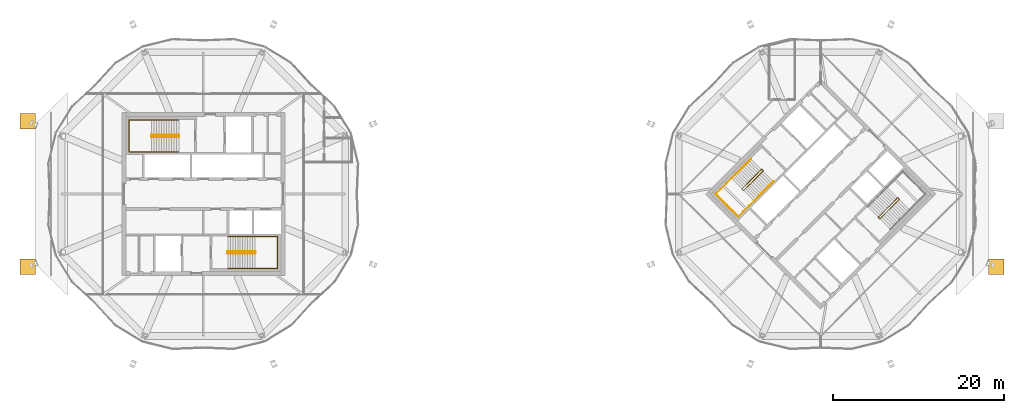
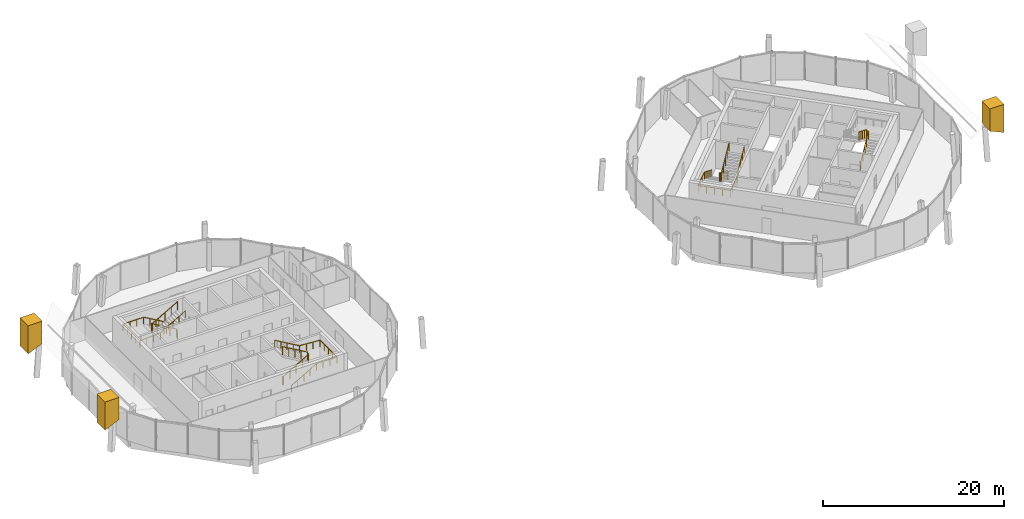
# One storey, part 21 of 22: 7 railings, 3 coverings.
"""IFC4 building model written with IfcOpenShell, lengths in metres."""

from ifc_helpers import new_model, si_unit, direction, frame, origin, origin_2d, place, context, subcontext, project, spatial, polyline, circle, outline, extrude, material, layer, layer_set, type_object, element, save


model = new_model("IFC4")

# Units and contexts
model_context = context("Model", 3, precision=1e-05, world=origin(), true_north=direction((0.0, 1.0)))
body_context = subcontext(model_context, "Body", "Model", "MODEL_VIEW")
ifc_project = project(units=[si_unit("LENGTHUNIT", "METRE"), si_unit("AREAUNIT", "SQUARE_METRE"), si_unit("VOLUMEUNIT", "CUBIC_METRE"), si_unit("PLANEANGLEUNIT", "RADIAN"), si_unit("MASSUNIT", "GRAM", prefix="KILO")], contexts=[model_context])

# Site, building, storey
site_placement = place(None, origin())
site = spatial("IfcSite", under=ifc_project, at=site_placement, CompositionType="ELEMENT")
building_placement = place(site_placement, origin())
building = spatial("IfcBuilding", under=site, at=building_placement, Name="Ogive Gate Towers", CompositionType="ELEMENT")
storey_placement = place(building_placement, frame((0.0, 0.0, 298.0)))
storey = spatial("IfcBuildingStorey", under=building, at=storey_placement, Name="L70", CompositionType="ELEMENT", Elevation=298.0)

# Coverings
ifc_material_1 = material(Name="Cast stone", Category="masonry")
ifc_layer = layer(ifc_material_1, 3.0)
ifc_layer_set = layer_set([ifc_layer], Name="Pinnacle tier 1800")
covering_type = type_object("IfcCoveringType", Name="Pinnacle tier 1800", PredefinedType="CLADDING", material=ifc_layer_set)
for number, where, z_axis, x_axis, name in (
    (1, (-56.484619140625, 7.5849609375, 4.3359375), (0.0, 1.0, 0.0), (-1.0, 0.0, 0.0), "Crown pinnacle"),
    (2, (-56.484619140625, -9.385009765625, 4.3359375), (0.0, 1.0, 0.0), (-1.0, 0.0, 0.0), "Crown pinnacle"),
    (3, (56.484619140625, -7.5849609375, 4.3359375), (0.0, -1.0, 0.0), (1.0, 0.0, 0.0), "Crown pinnacle"),
):
    element("IfcCovering", number, at=place(storey_placement, frame(where, z_axis=z_axis, x_axis=x_axis)), inside=storey, type_object=covering_type, Name=name, PredefinedType="CLADDING", context=body_context, shape_type="SweptSolid", body=[
        extrude(outline(polyline([(0.89990234375, -0.402587890625), (-0.89990234375, 0.402587890625), (-0.89990234375, 3.402587890625), (0.89990234375, 3.402587890625), (0.89990234375, -0.402587890625)])), origin(), (0.0, 0.0, 1.0), 1.800048828125),
    ])

# Railings
ifc_material_2 = material(Name="Stainless steel", Category="steel")
railing_type_1 = type_object("IfcRailingType", Name="Stair guard 1100", PredefinedType="GUARDRAIL", material=ifc_material_2)
railing_1_placement = place(storey_placement, frame((-38.81494140625, 6.860107421875, 0.0)))
element("IfcRailing", 4, at=railing_1_placement, inside=storey, type_object=railing_type_1, Name="L70 ST1 stair guard 1", PredefinedType="GUARDRAIL", context=body_context, shape_type="SweptSolid", body=[
    extrude(circle(Radius=0.02392578125, at=origin_2d()), frame((0.0, 0.0, 1.076171875), z_axis=(0.0, -1.0, 0.0), x_axis=(1.0, 0.0, 0.0)), (0.0, 0.0, 1.0), 0.14501953125),
    extrude(circle(Radius=0.02392578125, at=origin_2d()), frame((0.0, -0.14501953125, 1.076171875), z_axis=(-0.191553820338, 0.745658285999, 0.638201264834), x_axis=(-0.968551454522, -0.24881334358, 0.0)), (0.0, 0.0, 1.0), 0.26123046875),
    extrude(circle(Radius=0.02392578125, at=origin_2d()), frame((-0.050048828125, 0.0498046875, 1.24267578125), z_axis=(-0.8651563801, 0.0, 0.501502181424), x_axis=(0.0, -1.0, 0.0)), (0.0, 0.0, 1.0), 3.655517578125),
    extrude(circle(Radius=0.02392578125, at=origin_2d()), frame((-3.212646484375, 0.0498046875, 3.076171875), z_axis=(-0.707106781187, -0.707106781187, 0.0), x_axis=(0.707106781187, -0.707106781187, 0.0)), (0.0, 0.0, 1.0), 0.0703125),
    extrude(circle(Radius=0.02392578125, at=origin_2d()), frame((-3.262451171875, 0.0, 3.076171875), z_axis=(0.0, -1.0, 0.0), x_axis=(1.0, 0.0, 0.0)), (0.0, 0.0, 1.0), 0.14501953125),
    extrude(circle(Radius=0.02392578125, at=origin_2d()), frame((-3.262451171875, -0.14501953125, 3.076171875), z_axis=(0.275041040955, -0.276389281352, 0.920848191041), x_axis=(0.708833529934, 0.705375805398, 0.0)), (0.0, 0.0, 1.0), 0.18115234375),
    extrude(circle(Radius=0.02392578125, at=origin_2d()), frame((-3.212646484375, -0.195068359375, 3.24267578125), z_axis=(0.8651563801, 0.0, 0.501502181424), x_axis=(0.0, 1.0, 0.0)), (0.0, 0.0, 1.0), 3.655517578125),
    extrude(circle(Radius=0.02099609375, at=origin_2d()), origin(), (0.0, 0.0, 1.0), 1.052001953125),
    extrude(circle(Radius=0.02099609375, at=origin_2d()), frame((0.0, -0.14501953125, 0.0)), (0.0, 0.0, 1.0), 1.052001953125),
    extrude(circle(Radius=0.02099609375, at=origin_2d()), frame((-0.050048828125, 0.0498046875, 0.166748046875)), (0.0, 0.0, 1.0), 1.052001953125),
    extrude(circle(Radius=0.02099609375, at=origin_2d()), frame((-0.8408203125, 0.0498046875, 0.625)), (0.0, 0.0, 1.0), 1.052001953125),
    extrude(circle(Radius=0.02099609375, at=origin_2d()), frame((-1.63134765625, 0.0498046875, 1.08349609375)), (0.0, 0.0, 1.0), 1.052001953125),
    extrude(circle(Radius=0.02099609375, at=origin_2d()), frame((-2.421875, 0.0498046875, 1.541748046875)), (0.0, 0.0, 1.0), 1.052001953125),
    extrude(circle(Radius=0.02099609375, at=origin_2d()), frame((-3.212646484375, 0.0498046875, 2.0)), (0.0, 0.0, 1.0), 1.052001953125),
    extrude(circle(Radius=0.02099609375, at=origin_2d()), frame((-3.262451171875, 0.0, 2.0)), (0.0, 0.0, 1.0), 1.052001953125),
    extrude(circle(Radius=0.02099609375, at=origin_2d()), frame((-3.262451171875, -0.14501953125, 2.0)), (0.0, 0.0, 1.0), 1.052001953125),
    extrude(circle(Radius=0.02099609375, at=origin_2d()), frame((-3.212646484375, -0.195068359375, 2.166748046875)), (0.0, 0.0, 1.0), 1.052001953125),
    extrude(circle(Radius=0.02099609375, at=origin_2d()), frame((-2.421875, -0.195068359375, 2.625)), (0.0, 0.0, 1.0), 1.052001953125),
    extrude(circle(Radius=0.02099609375, at=origin_2d()), frame((-1.63134765625, -0.195068359375, 3.08349609375)), (0.0, 0.0, 1.0), 1.052001953125),
    extrude(circle(Radius=0.02099609375, at=origin_2d()), frame((-0.8408203125, -0.195068359375, 3.541748046875)), (0.0, 0.0, 1.0), 1.052001953125),
    extrude(circle(Radius=0.02099609375, at=origin_2d()), frame((-0.050048828125, -0.195068359375, 4.0)), (0.0, 0.0, 1.0), 1.052001953125),
])
railing_2_placement = place(storey_placement, frame((-33.18505859375, -6.860107421875, 0.0)))
element("IfcRailing", 5, at=railing_2_placement, inside=storey, type_object=railing_type_1, Name="L70 ST2 stair guard 1", PredefinedType="GUARDRAIL", context=body_context, shape_type="SweptSolid", body=[
    extrude(circle(Radius=0.02392578125, at=origin_2d()), frame((0.0, 0.0, 1.076171875), z_axis=(0.0, 1.0, 0.0), x_axis=(-1.0, 0.0, 0.0)), (0.0, 0.0, 1.0), 0.14501953125),
    extrude(circle(Radius=0.02392578125, at=origin_2d()), frame((0.0, 0.14501953125, 1.076171875), z_axis=(0.191553820338, -0.745658285999, 0.638201264834), x_axis=(0.968551454522, 0.24881334358, 0.0)), (0.0, 0.0, 1.0), 0.26123046875),
    extrude(circle(Radius=0.02392578125, at=origin_2d()), frame((0.050048828125, -0.0498046875, 1.24267578125), z_axis=(0.8651563801, 0.0, 0.501502181424), x_axis=(0.0, 1.0, 0.0)), (0.0, 0.0, 1.0), 3.655517578125),
    extrude(circle(Radius=0.02392578125, at=origin_2d()), frame((3.212646484375, -0.0498046875, 3.076171875), z_axis=(0.707106781187, 0.707106781187, 0.0), x_axis=(-0.707106781187, 0.707106781187, 0.0)), (0.0, 0.0, 1.0), 0.0703125),
    extrude(circle(Radius=0.02392578125, at=origin_2d()), frame((3.262451171875, 0.0, 3.076171875), z_axis=(0.0, 1.0, 0.0), x_axis=(-1.0, 0.0, 0.0)), (0.0, 0.0, 1.0), 0.14501953125),
    extrude(circle(Radius=0.02392578125, at=origin_2d()), frame((3.262451171875, 0.14501953125, 3.076171875), z_axis=(-0.275041040955, 0.276389281352, 0.920848191041), x_axis=(-0.708833529934, -0.705375805398, 0.0)), (0.0, 0.0, 1.0), 0.18115234375),
    extrude(circle(Radius=0.02392578125, at=origin_2d()), frame((3.212646484375, 0.195068359375, 3.24267578125), z_axis=(-0.8651563801, 0.0, 0.501502181424), x_axis=(0.0, -1.0, 0.0)), (0.0, 0.0, 1.0), 3.655517578125),
    extrude(circle(Radius=0.02099609375, at=origin_2d()), origin(), (0.0, 0.0, 1.0), 1.052001953125),
    extrude(circle(Radius=0.02099609375, at=origin_2d()), frame((0.0, 0.14501953125, 0.0)), (0.0, 0.0, 1.0), 1.052001953125),
    extrude(circle(Radius=0.02099609375, at=origin_2d()), frame((0.050048828125, -0.0498046875, 0.166748046875)), (0.0, 0.0, 1.0), 1.052001953125),
    extrude(circle(Radius=0.02099609375, at=origin_2d()), frame((0.8408203125, -0.0498046875, 0.625)), (0.0, 0.0, 1.0), 1.052001953125),
    extrude(circle(Radius=0.02099609375, at=origin_2d()), frame((1.63134765625, -0.0498046875, 1.08349609375)), (0.0, 0.0, 1.0), 1.052001953125),
    extrude(circle(Radius=0.02099609375, at=origin_2d()), frame((2.421875, -0.0498046875, 1.541748046875)), (0.0, 0.0, 1.0), 1.052001953125),
    extrude(circle(Radius=0.02099609375, at=origin_2d()), frame((3.212646484375, -0.0498046875, 2.0)), (0.0, 0.0, 1.0), 1.052001953125),
    extrude(circle(Radius=0.02099609375, at=origin_2d()), frame((3.262451171875, 0.0, 2.0)), (0.0, 0.0, 1.0), 1.052001953125),
    extrude(circle(Radius=0.02099609375, at=origin_2d()), frame((3.262451171875, 0.14501953125, 2.0)), (0.0, 0.0, 1.0), 1.052001953125),
    extrude(circle(Radius=0.02099609375, at=origin_2d()), frame((3.212646484375, 0.195068359375, 2.166748046875)), (0.0, 0.0, 1.0), 1.052001953125),
    extrude(circle(Radius=0.02099609375, at=origin_2d()), frame((2.421875, 0.195068359375, 2.625)), (0.0, 0.0, 1.0), 1.052001953125),
    extrude(circle(Radius=0.02099609375, at=origin_2d()), frame((1.63134765625, 0.195068359375, 3.08349609375)), (0.0, 0.0, 1.0), 1.052001953125),
    extrude(circle(Radius=0.02099609375, at=origin_2d()), frame((0.8408203125, 0.195068359375, 3.541748046875)), (0.0, 0.0, 1.0), 1.052001953125),
    extrude(circle(Radius=0.02099609375, at=origin_2d()), frame((0.050048828125, 0.195068359375, 4.0)), (0.0, 0.0, 1.0), 1.052001953125),
])
railing_3_placement = place(storey_placement, frame((29.15869140625, 2.8603515625, 0.0)))
element("IfcRailing", 6, at=railing_3_placement, inside=storey, type_object=railing_type_1, Name="L70 ST1 stair guard 1", PredefinedType="GUARDRAIL", context=body_context, shape_type="SweptSolid", body=[
    extrude(circle(Radius=0.02392578125, at=origin_2d()), frame((0.0, 0.0, 1.076171875), z_axis=(0.707106781187, -0.707106781187, 0.0), x_axis=(0.707106781187, 0.707106781187, 0.0)), (0.0, 0.0, 1.0), 0.14501953125),
    extrude(circle(Radius=0.02392578125, at=origin_2d()), frame((0.1025390625, -0.1025390625, 1.076171875), z_axis=(-0.662423024494, 0.39240856176, 0.638131065909), x_axis=(-0.509669330572, -0.860370369942, 0.0)), (0.0, 0.0, 1.0), 0.26123046875),
    extrude(circle(Radius=0.02392578125, at=origin_2d()), frame((-0.070556640625, 0.0, 1.24267578125), z_axis=(-0.611760273834, -0.611760273834, 0.50149649522), x_axis=(0.707106781187, -0.707106781187, 0.0)), (0.0, 0.0, 1.0), 3.655517578125),
    extrude(circle(Radius=0.02392578125, at=origin_2d()), frame((-2.306884765625, -2.236328125, 3.076171875), z_axis=(0.0, -1.0, 0.0), x_axis=(1.0, 0.0, 0.0)), (0.0, 0.0, 1.0), 0.07080078125),
    extrude(circle(Radius=0.02392578125, at=origin_2d()), frame((-2.306884765625, -2.30712890625, 3.076171875), z_axis=(0.707106781187, -0.707106781187, 0.0), x_axis=(0.707106781187, 0.707106781187, 0.0)), (0.0, 0.0, 1.0), 0.14501953125),
    extrude(circle(Radius=0.02392578125, at=origin_2d()), frame((-2.204345703125, -2.40966796875, 3.076171875), z_axis=(0.39082670629, 0.0, 0.920464277227), x_axis=(0.0, 1.0, 0.0)), (0.0, 0.0, 1.0), 0.18115234375),
    extrude(circle(Radius=0.02392578125, at=origin_2d()), frame((-2.133544921875, -2.40966796875, 3.24267578125), z_axis=(0.61171847994, 0.611785268725, 0.501516985028), x_axis=(-0.707145379772, 0.707068180494, 0.0)), (0.0, 0.0, 1.0), 3.655517578125),
    extrude(circle(Radius=0.02099609375, at=origin_2d()), origin(), (0.0, 0.0, 1.0), 1.052001953125),
    extrude(circle(Radius=0.02099609375, at=origin_2d()), frame((0.1025390625, -0.1025390625, 0.0)), (0.0, 0.0, 1.0), 1.052001953125),
    extrude(circle(Radius=0.02099609375, at=origin_2d()), frame((-0.070556640625, 0.0, 0.166748046875)), (0.0, 0.0, 1.0), 1.052001953125),
    extrude(circle(Radius=0.02099609375, at=origin_2d()), frame((-0.629638671875, -0.55908203125, 0.625)), (0.0, 0.0, 1.0), 1.052001953125),
    extrude(circle(Radius=0.02099609375, at=origin_2d()), frame((-1.188720703125, -1.1181640625, 1.08349609375)), (0.0, 0.0, 1.0), 1.052001953125),
    extrude(circle(Radius=0.02099609375, at=origin_2d()), frame((-1.747802734375, -1.67724609375, 1.541748046875)), (0.0, 0.0, 1.0), 1.052001953125),
    extrude(circle(Radius=0.02099609375, at=origin_2d()), frame((-2.306884765625, -2.236328125, 2.0)), (0.0, 0.0, 1.0), 1.052001953125),
    extrude(circle(Radius=0.02099609375, at=origin_2d()), frame((-2.306884765625, -2.30712890625, 2.0)), (0.0, 0.0, 1.0), 1.052001953125),
    extrude(circle(Radius=0.02099609375, at=origin_2d()), frame((-2.204345703125, -2.40966796875, 2.0)), (0.0, 0.0, 1.0), 1.052001953125),
    extrude(circle(Radius=0.02099609375, at=origin_2d()), frame((-2.133544921875, -2.40966796875, 2.166748046875)), (0.0, 0.0, 1.0), 1.052001953125),
    extrude(circle(Radius=0.02099609375, at=origin_2d()), frame((-1.574462890625, -1.8505859375, 2.625)), (0.0, 0.0, 1.0), 1.052001953125),
    extrude(circle(Radius=0.02099609375, at=origin_2d()), frame((-1.015625, -1.29150390625, 3.08349609375)), (0.0, 0.0, 1.0), 1.052001953125),
    extrude(circle(Radius=0.02099609375, at=origin_2d()), frame((-0.45654296875, -0.732421875, 3.541748046875)), (0.0, 0.0, 1.0), 1.052001953125),
    extrude(circle(Radius=0.02099609375, at=origin_2d()), frame((0.1025390625, -0.17333984375, 4.0)), (0.0, 0.0, 1.0), 1.052001953125),
])
railing_4_placement = place(storey_placement, frame((42.84130859375, -2.8603515625, 0.0)))
element("IfcRailing", 7, at=railing_4_placement, inside=storey, type_object=railing_type_1, Name="L70 ST2 stair guard 1", PredefinedType="GUARDRAIL", context=body_context, shape_type="SweptSolid", body=[
    extrude(circle(Radius=0.02392578125, at=origin_2d()), frame((0.0, 0.0, 1.076171875), z_axis=(-0.707106781187, 0.707106781187, 0.0), x_axis=(-0.707106781187, -0.707106781187, 0.0)), (0.0, 0.0, 1.0), 0.14501953125),
    extrude(circle(Radius=0.02392578125, at=origin_2d()), frame((-0.1025390625, 0.1025390625, 1.076171875), z_axis=(0.662423024494, -0.39240856176, 0.638131065909), x_axis=(0.509669330572, 0.860370369942, 0.0)), (0.0, 0.0, 1.0), 0.26123046875),
    extrude(circle(Radius=0.02392578125, at=origin_2d()), frame((0.070556640625, 0.0, 1.24267578125), z_axis=(0.611760273834, 0.611760273834, 0.50149649522), x_axis=(-0.707106781187, 0.707106781187, 0.0)), (0.0, 0.0, 1.0), 3.655517578125),
    extrude(circle(Radius=0.02392578125, at=origin_2d()), frame((2.306884765625, 2.236328125, 3.076171875), z_axis=(0.0, 1.0, 0.0), x_axis=(-1.0, 0.0, 0.0)), (0.0, 0.0, 1.0), 0.07080078125),
    extrude(circle(Radius=0.02392578125, at=origin_2d()), frame((2.306884765625, 2.30712890625, 3.076171875), z_axis=(-0.707106781187, 0.707106781187, 0.0), x_axis=(-0.707106781187, -0.707106781187, 0.0)), (0.0, 0.0, 1.0), 0.14501953125),
    extrude(circle(Radius=0.02392578125, at=origin_2d()), frame((2.204345703125, 2.40966796875, 3.076171875), z_axis=(-0.39082670629, 0.0, 0.920464277227), x_axis=(0.0, -1.0, 0.0)), (0.0, 0.0, 1.0), 0.18115234375),
    extrude(circle(Radius=0.02392578125, at=origin_2d()), frame((2.133544921875, 2.40966796875, 3.24267578125), z_axis=(-0.61171847994, -0.611785268725, 0.501516985028), x_axis=(0.707145379772, -0.707068180494, 0.0)), (0.0, 0.0, 1.0), 3.655517578125),
    extrude(circle(Radius=0.02099609375, at=origin_2d()), origin(), (0.0, 0.0, 1.0), 1.052001953125),
    extrude(circle(Radius=0.02099609375, at=origin_2d()), frame((-0.1025390625, 0.1025390625, 0.0)), (0.0, 0.0, 1.0), 1.052001953125),
    extrude(circle(Radius=0.02099609375, at=origin_2d()), frame((0.070556640625, 0.0, 0.166748046875)), (0.0, 0.0, 1.0), 1.052001953125),
    extrude(circle(Radius=0.02099609375, at=origin_2d()), frame((0.629638671875, 0.55908203125, 0.625)), (0.0, 0.0, 1.0), 1.052001953125),
    extrude(circle(Radius=0.02099609375, at=origin_2d()), frame((1.188720703125, 1.1181640625, 1.08349609375)), (0.0, 0.0, 1.0), 1.052001953125),
    extrude(circle(Radius=0.02099609375, at=origin_2d()), frame((1.747802734375, 1.67724609375, 1.541748046875)), (0.0, 0.0, 1.0), 1.052001953125),
    extrude(circle(Radius=0.02099609375, at=origin_2d()), frame((2.306884765625, 2.236328125, 2.0)), (0.0, 0.0, 1.0), 1.052001953125),
    extrude(circle(Radius=0.02099609375, at=origin_2d()), frame((2.306884765625, 2.30712890625, 2.0)), (0.0, 0.0, 1.0), 1.052001953125),
    extrude(circle(Radius=0.02099609375, at=origin_2d()), frame((2.204345703125, 2.40966796875, 2.0)), (0.0, 0.0, 1.0), 1.052001953125),
    extrude(circle(Radius=0.02099609375, at=origin_2d()), frame((2.133544921875, 2.40966796875, 2.166748046875)), (0.0, 0.0, 1.0), 1.052001953125),
    extrude(circle(Radius=0.02099609375, at=origin_2d()), frame((1.574462890625, 1.8505859375, 2.625)), (0.0, 0.0, 1.0), 1.052001953125),
    extrude(circle(Radius=0.02099609375, at=origin_2d()), frame((1.015625, 1.29150390625, 3.08349609375)), (0.0, 0.0, 1.0), 1.052001953125),
    extrude(circle(Radius=0.02099609375, at=origin_2d()), frame((0.45654296875, 0.732421875, 3.541748046875)), (0.0, 0.0, 1.0), 1.052001953125),
    extrude(circle(Radius=0.02099609375, at=origin_2d()), frame((-0.1025390625, 0.17333984375, 4.0)), (0.0, 0.0, 1.0), 1.052001953125),
])
railing_type_2 = type_object("IfcRailingType", Name="Stair handrail 900", PredefinedType="HANDRAIL", material=ifc_material_2)
railing_5_placement = place(storey_placement, frame((-38.864990234375, 8.64990234375, 0.166748046875)))
element("IfcRailing", 8, at=railing_5_placement, inside=storey, type_object=railing_type_2, Name="L70 ST1 stair handrail 1", PredefinedType="HANDRAIL", context=body_context, shape_type="SweptSolid", body=[
    extrude(circle(Radius=0.02392578125, at=origin_2d()), frame((0.0, 0.0, 0.8759765625), z_axis=(-0.8651563801, 0.0, 0.501502181424), x_axis=(0.0, -1.0, 0.0)), (0.0, 0.0, 1.0), 3.655517578125),
    extrude(circle(Radius=0.02392578125, at=origin_2d()), frame((-3.16259765625, 0.0, 2.708984375), z_axis=(-1.0, 0.0, 0.0), x_axis=(0.0, -1.0, 0.0)), (0.0, 0.0, 1.0), 2.622314453125),
    extrude(circle(Radius=0.02392578125, at=origin_2d()), frame((-5.784912109375, 0.0, 2.708984375), z_axis=(0.0, -1.0, 0.0), x_axis=(1.0, 0.0, 0.0)), (0.0, 0.0, 1.0), 3.724853515625),
    extrude(circle(Radius=0.02392578125, at=origin_2d()), frame((-5.784912109375, -3.724853515625, 2.708984375), z_axis=(0.997984385948, 0.0, 0.063459951178), x_axis=(0.0, 1.0, 0.0)), (0.0, 0.0, 1.0), 2.627685546875),
    extrude(circle(Radius=0.02392578125, at=origin_2d()), frame((-3.16259765625, -3.724853515625, 2.8759765625), z_axis=(0.8651563801, 0.0, 0.501502181424), x_axis=(0.0, 1.0, 0.0)), (0.0, 0.0, 1.0), 3.655517578125),
    extrude(circle(Radius=0.02099609375, at=origin_2d()), origin(), (0.0, 0.0, 1.0), 0.851806640625),
    extrude(circle(Radius=0.02099609375, at=origin_2d()), frame((-0.79052734375, 0.0, 0.458251953125)), (0.0, 0.0, 1.0), 0.851806640625),
    extrude(circle(Radius=0.02099609375, at=origin_2d()), frame((-1.581298828125, 0.0, 0.91650390625)), (0.0, 0.0, 1.0), 0.851806640625),
    extrude(circle(Radius=0.02099609375, at=origin_2d()), frame((-2.3720703125, 0.0, 1.375)), (0.0, 0.0, 1.0), 0.851806640625),
    extrude(circle(Radius=0.02099609375, at=origin_2d()), frame((-3.16259765625, 0.0, 1.833251953125)), (0.0, 0.0, 1.0), 0.851806640625),
    extrude(circle(Radius=0.02099609375, at=origin_2d()), frame((-4.03662109375, 0.0, 1.833251953125)), (0.0, 0.0, 1.0), 0.851806640625),
    extrude(circle(Radius=0.02099609375, at=origin_2d()), frame((-4.910888671875, 0.0, 1.833251953125)), (0.0, 0.0, 1.0), 0.851806640625),
    extrude(circle(Radius=0.02099609375, at=origin_2d()), frame((-5.784912109375, 0.0, 1.833251953125)), (0.0, 0.0, 1.0), 0.851806640625),
    extrude(circle(Radius=0.02099609375, at=origin_2d()), frame((-5.784912109375, -0.93115234375, 1.833251953125)), (0.0, 0.0, 1.0), 0.851806640625),
    extrude(circle(Radius=0.02099609375, at=origin_2d()), frame((-5.784912109375, -1.8623046875, 1.833251953125)), (0.0, 0.0, 1.0), 0.851806640625),
    extrude(circle(Radius=0.02099609375, at=origin_2d()), frame((-5.784912109375, -2.793701171875, 1.833251953125)), (0.0, 0.0, 1.0), 0.851806640625),
    extrude(circle(Radius=0.02099609375, at=origin_2d()), frame((-5.784912109375, -3.724853515625, 1.833251953125)), (0.0, 0.0, 1.0), 0.851806640625),
    extrude(circle(Radius=0.02099609375, at=origin_2d()), frame((-4.910888671875, -3.724853515625, 1.888916015625)), (0.0, 0.0, 1.0), 0.851806640625),
    extrude(circle(Radius=0.02099609375, at=origin_2d()), frame((-4.03662109375, -3.724853515625, 1.9443359375)), (0.0, 0.0, 1.0), 0.851806640625),
    extrude(circle(Radius=0.02099609375, at=origin_2d()), frame((-3.16259765625, -3.724853515625, 2.0)), (0.0, 0.0, 1.0), 0.851806640625),
    extrude(circle(Radius=0.02099609375, at=origin_2d()), frame((-2.3720703125, -3.724853515625, 2.458251953125)), (0.0, 0.0, 1.0), 0.851806640625),
    extrude(circle(Radius=0.02099609375, at=origin_2d()), frame((-1.581298828125, -3.724853515625, 2.91650390625)), (0.0, 0.0, 1.0), 0.851806640625),
    extrude(circle(Radius=0.02099609375, at=origin_2d()), frame((-0.79052734375, -3.724853515625, 3.375)), (0.0, 0.0, 1.0), 0.851806640625),
    extrude(circle(Radius=0.02099609375, at=origin_2d()), frame((0.0, -3.724853515625, 3.833251953125)), (0.0, 0.0, 1.0), 0.851806640625),
])
railing_6_placement = place(storey_placement, frame((-33.135009765625, -8.64990234375, 0.166748046875)))
element("IfcRailing", 9, at=railing_6_placement, inside=storey, type_object=railing_type_2, Name="L70 ST2 stair handrail 1", PredefinedType="HANDRAIL", context=body_context, shape_type="SweptSolid", body=[
    extrude(circle(Radius=0.02392578125, at=origin_2d()), frame((0.0, 0.0, 0.8759765625), z_axis=(0.8651563801, 0.0, 0.501502181424), x_axis=(0.0, 1.0, 0.0)), (0.0, 0.0, 1.0), 3.655517578125),
    extrude(circle(Radius=0.02392578125, at=origin_2d()), frame((3.16259765625, 0.0, 2.708984375), z_axis=(1.0, 0.0, 0.0), x_axis=(0.0, 1.0, 0.0)), (0.0, 0.0, 1.0), 2.622314453125),
    extrude(circle(Radius=0.02392578125, at=origin_2d()), frame((5.784912109375, 0.0, 2.708984375), z_axis=(0.0, 1.0, 0.0), x_axis=(-1.0, 0.0, 0.0)), (0.0, 0.0, 1.0), 3.724853515625),
    extrude(circle(Radius=0.02392578125, at=origin_2d()), frame((5.784912109375, 3.724853515625, 2.708984375), z_axis=(-0.997984385948, 0.0, 0.063459951178), x_axis=(0.0, -1.0, 0.0)), (0.0, 0.0, 1.0), 2.627685546875),
    extrude(circle(Radius=0.02392578125, at=origin_2d()), frame((3.16259765625, 3.724853515625, 2.8759765625), z_axis=(-0.8651563801, 0.0, 0.501502181424), x_axis=(0.0, -1.0, 0.0)), (0.0, 0.0, 1.0), 3.655517578125),
    extrude(circle(Radius=0.02099609375, at=origin_2d()), origin(), (0.0, 0.0, 1.0), 0.851806640625),
    extrude(circle(Radius=0.02099609375, at=origin_2d()), frame((0.79052734375, 0.0, 0.458251953125)), (0.0, 0.0, 1.0), 0.851806640625),
    extrude(circle(Radius=0.02099609375, at=origin_2d()), frame((1.581298828125, 0.0, 0.91650390625)), (0.0, 0.0, 1.0), 0.851806640625),
    extrude(circle(Radius=0.02099609375, at=origin_2d()), frame((2.3720703125, 0.0, 1.375)), (0.0, 0.0, 1.0), 0.851806640625),
    extrude(circle(Radius=0.02099609375, at=origin_2d()), frame((3.16259765625, 0.0, 1.833251953125)), (0.0, 0.0, 1.0), 0.851806640625),
    extrude(circle(Radius=0.02099609375, at=origin_2d()), frame((4.03662109375, 0.0, 1.833251953125)), (0.0, 0.0, 1.0), 0.851806640625),
    extrude(circle(Radius=0.02099609375, at=origin_2d()), frame((4.910888671875, 0.0, 1.833251953125)), (0.0, 0.0, 1.0), 0.851806640625),
    extrude(circle(Radius=0.02099609375, at=origin_2d()), frame((5.784912109375, 0.0, 1.833251953125)), (0.0, 0.0, 1.0), 0.851806640625),
    extrude(circle(Radius=0.02099609375, at=origin_2d()), frame((5.784912109375, 0.93115234375, 1.833251953125)), (0.0, 0.0, 1.0), 0.851806640625),
    extrude(circle(Radius=0.02099609375, at=origin_2d()), frame((5.784912109375, 1.8623046875, 1.833251953125)), (0.0, 0.0, 1.0), 0.851806640625),
    extrude(circle(Radius=0.02099609375, at=origin_2d()), frame((5.784912109375, 2.793701171875, 1.833251953125)), (0.0, 0.0, 1.0), 0.851806640625),
    extrude(circle(Radius=0.02099609375, at=origin_2d()), frame((5.784912109375, 3.724853515625, 1.833251953125)), (0.0, 0.0, 1.0), 0.851806640625),
    extrude(circle(Radius=0.02099609375, at=origin_2d()), frame((4.910888671875, 3.724853515625, 1.888916015625)), (0.0, 0.0, 1.0), 0.851806640625),
    extrude(circle(Radius=0.02099609375, at=origin_2d()), frame((4.03662109375, 3.724853515625, 1.9443359375)), (0.0, 0.0, 1.0), 0.851806640625),
    extrude(circle(Radius=0.02099609375, at=origin_2d()), frame((3.16259765625, 3.724853515625, 2.0)), (0.0, 0.0, 1.0), 0.851806640625),
    extrude(circle(Radius=0.02099609375, at=origin_2d()), frame((2.3720703125, 3.724853515625, 2.458251953125)), (0.0, 0.0, 1.0), 0.851806640625),
    extrude(circle(Radius=0.02099609375, at=origin_2d()), frame((1.581298828125, 3.724853515625, 2.91650390625)), (0.0, 0.0, 1.0), 0.851806640625),
    extrude(circle(Radius=0.02099609375, at=origin_2d()), frame((0.79052734375, 3.724853515625, 3.375)), (0.0, 0.0, 1.0), 0.851806640625),
    extrude(circle(Radius=0.02099609375, at=origin_2d()), frame((0.0, 3.724853515625, 3.833251953125)), (0.0, 0.0, 1.0), 0.851806640625),
])
railing_7_placement = place(storey_placement, frame((27.857666015625, 4.090576171875, 0.166748046875)))
element("IfcRailing", 10, at=railing_7_placement, inside=storey, type_object=railing_type_2, Name="L70 ST1 stair handrail 1", PredefinedType="HANDRAIL", context=body_context, shape_type="SweptSolid", body=[
    extrude(circle(Radius=0.02392578125, at=origin_2d()), frame((0.0, 0.0, 0.8759765625), z_axis=(-0.611785268725, -0.61171847994, 0.501516985028), x_axis=(0.707068180494, -0.707145379772, 0.0)), (0.0, 0.0, 1.0), 3.655517578125),
    extrude(circle(Radius=0.02392578125, at=origin_2d()), frame((-2.236328125, -2.236083984375, 2.708984375), z_axis=(-0.70706023191, -0.707153327399, 0.0), x_axis=(0.707153327399, -0.70706023191, 0.0)), (0.0, 0.0, 1.0), 2.62255859375),
    extrude(circle(Radius=0.02392578125, at=origin_2d()), frame((-4.090576171875, -4.090576171875, 2.708984375), z_axis=(0.707106781187, -0.707106781187, 0.0), x_axis=(0.707106781187, 0.707106781187, 0.0)), (0.0, 0.0, 1.0), 3.72509765625),
    extrude(circle(Radius=0.02392578125, at=origin_2d()), frame((-1.45654296875, -6.724609375, 2.708984375), z_axis=(0.705635245741, 0.705728153607, 0.06345607279), x_axis=(-0.707153327399, 0.70706023191, 0.0)), (0.0, 0.0, 1.0), 2.627685546875),
    extrude(circle(Radius=0.02392578125, at=origin_2d()), frame((0.397705078125, -4.8701171875, 2.8759765625), z_axis=(0.611785268725, 0.61171847994, 0.501516985028), x_axis=(-0.707068180494, 0.707145379772, 0.0)), (0.0, 0.0, 1.0), 3.655517578125),
    extrude(circle(Radius=0.02099609375, at=origin_2d()), origin(), (0.0, 0.0, 1.0), 0.851806640625),
    extrude(circle(Radius=0.02099609375, at=origin_2d()), frame((-0.55908203125, -0.55908203125, 0.458251953125)), (0.0, 0.0, 1.0), 0.851806640625),
    extrude(circle(Radius=0.02099609375, at=origin_2d()), frame((-1.1181640625, -1.1181640625, 0.91650390625)), (0.0, 0.0, 1.0), 0.851806640625),
    extrude(circle(Radius=0.02099609375, at=origin_2d()), frame((-1.67724609375, -1.677001953125, 1.375)), (0.0, 0.0, 1.0), 0.851806640625),
    extrude(circle(Radius=0.02099609375, at=origin_2d()), frame((-2.236328125, -2.236083984375, 1.833251953125)), (0.0, 0.0, 1.0), 0.851806640625),
    extrude(circle(Radius=0.02099609375, at=origin_2d()), frame((-2.8544921875, -2.854248046875, 1.833251953125)), (0.0, 0.0, 1.0), 0.851806640625),
    extrude(circle(Radius=0.02099609375, at=origin_2d()), frame((-3.472412109375, -3.472412109375, 1.833251953125)), (0.0, 0.0, 1.0), 0.851806640625),
    extrude(circle(Radius=0.02099609375, at=origin_2d()), frame((-4.090576171875, -4.090576171875, 1.833251953125)), (0.0, 0.0, 1.0), 0.851806640625),
    extrude(circle(Radius=0.02099609375, at=origin_2d()), frame((-3.43212890625, -4.7490234375, 1.833251953125)), (0.0, 0.0, 1.0), 0.851806640625),
    extrude(circle(Radius=0.02099609375, at=origin_2d()), frame((-2.7734375, -5.40771484375, 1.833251953125)), (0.0, 0.0, 1.0), 0.851806640625),
    extrude(circle(Radius=0.02099609375, at=origin_2d()), frame((-2.114990234375, -6.066162109375, 1.833251953125)), (0.0, 0.0, 1.0), 0.851806640625),
    extrude(circle(Radius=0.02099609375, at=origin_2d()), frame((-1.45654296875, -6.724609375, 1.833251953125)), (0.0, 0.0, 1.0), 0.851806640625),
    extrude(circle(Radius=0.02099609375, at=origin_2d()), frame((-0.83837890625, -6.1064453125, 1.888916015625)), (0.0, 0.0, 1.0), 0.851806640625),
    extrude(circle(Radius=0.02099609375, at=origin_2d()), frame((-0.220458984375, -5.48828125, 1.9443359375)), (0.0, 0.0, 1.0), 0.851806640625),
    extrude(circle(Radius=0.02099609375, at=origin_2d()), frame((0.397705078125, -4.8701171875, 2.0)), (0.0, 0.0, 1.0), 0.851806640625),
    extrude(circle(Radius=0.02099609375, at=origin_2d()), frame((0.956787109375, -4.31103515625, 2.458251953125)), (0.0, 0.0, 1.0), 0.851806640625),
    extrude(circle(Radius=0.02099609375, at=origin_2d()), frame((1.515869140625, -3.751953125, 2.91650390625)), (0.0, 0.0, 1.0), 0.851806640625),
    extrude(circle(Radius=0.02099609375, at=origin_2d()), frame((2.074951171875, -3.193115234375, 3.375)), (0.0, 0.0, 1.0), 0.851806640625),
    extrude(circle(Radius=0.02099609375, at=origin_2d()), frame((2.634033203125, -2.634033203125, 3.833251953125)), (0.0, 0.0, 1.0), 0.851806640625),
])

save(model, "model.ifc")
